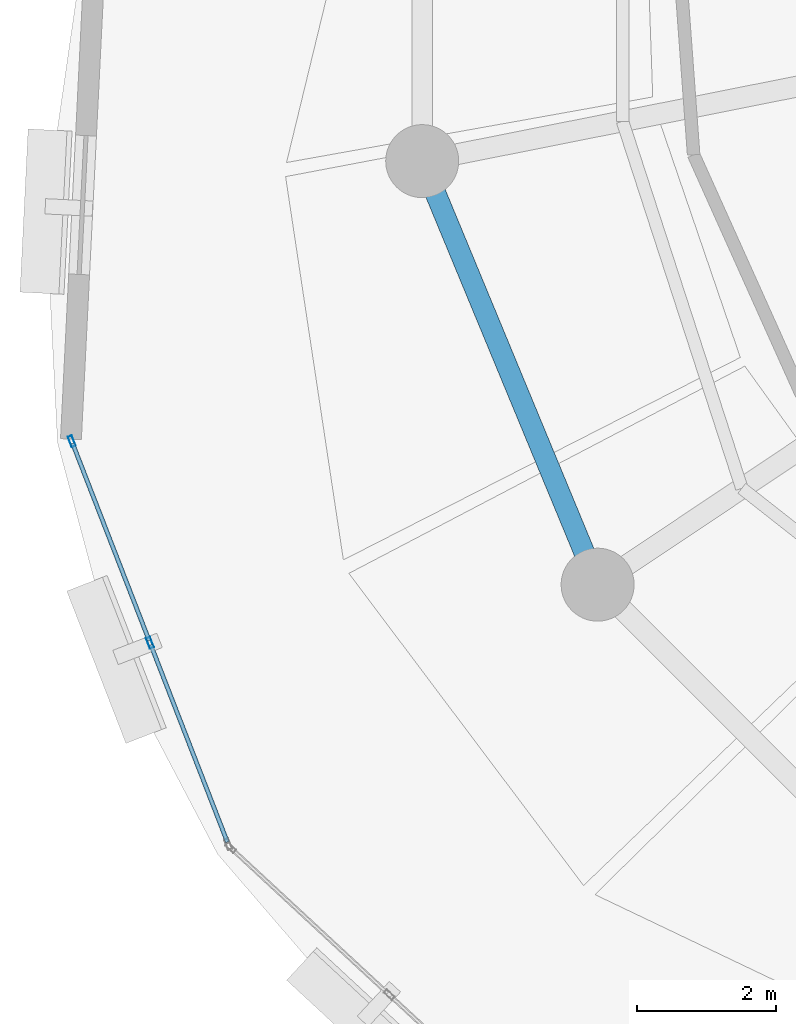
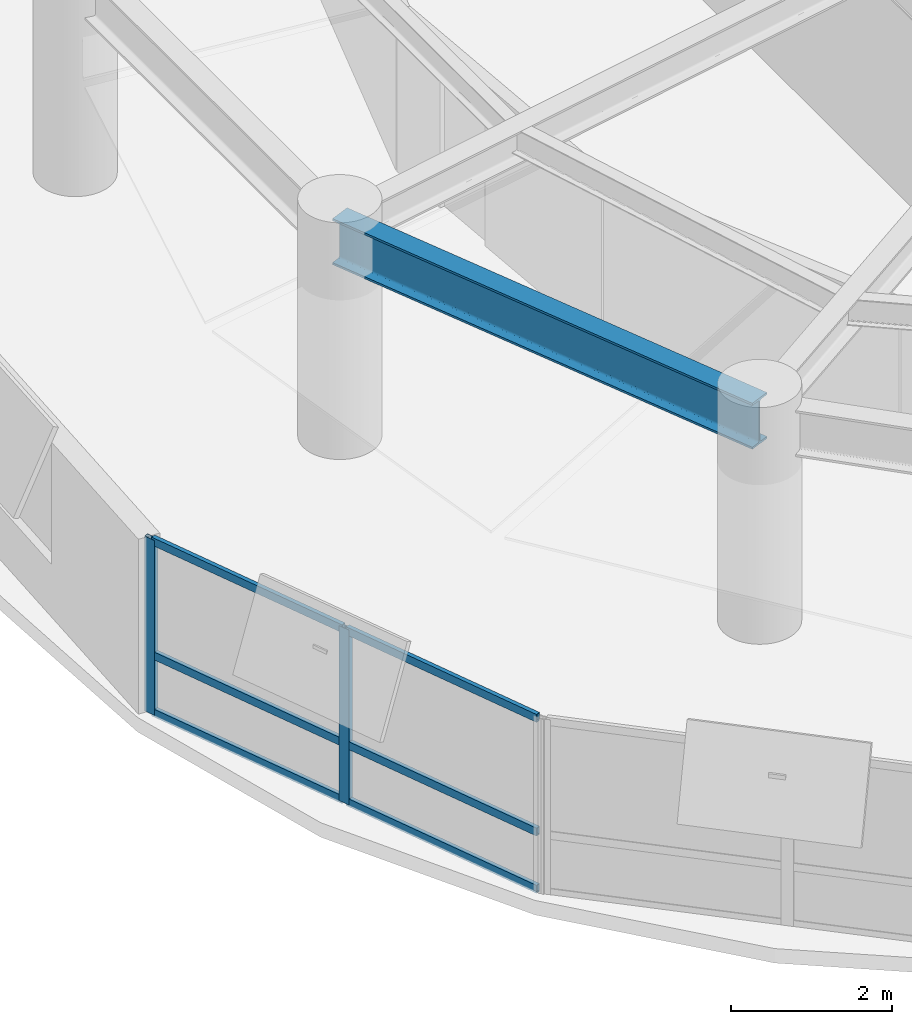
# One storey, part 4 of 12: 8 members, 1 beam, 1 element without a shape of its own.
"""IFC4 building model written with IfcOpenShell, lengths in metres."""

import ifcopenshell
import ifcopenshell.guid

model = None  # the IFC model being written
_history = None  # IfcOwnerHistory: only IFC2X3 demands one
_inside = {}  # id of a spatial element -> (the spatial element, [elements in it])
_under = {}  # id of a project, library or spatial element -> (it, [spatial elements below it])
_declared = {}  # id of a project -> (the project, [libraries it declares])
_typed = {}  # id of a type object -> (the type object, [elements of that type])
_made_of = {}  # id of a material, layer set ... -> (it, [elements and type objects made of it])


def new_model(schema):
    """Start an empty IFC model of exactly this schema.

    Asked for "IFC4X3", IfcOpenShell would pick the latest addendum, in which some entities
    have other attributes; the version numbers below select the first issue.
    IFC2X3 requires an IfcOwnerHistory on every rooted entity: one is made here for all.
    """
    global model, _history
    if schema == "IFC4X3":
        model = ifcopenshell.file(schema_version=(4, 3, 0, 0))
    else:
        model = ifcopenshell.file(schema=schema)
    _inside.clear()
    _under.clear()
    _declared.clear()
    _typed.clear()
    _made_of.clear()
    _history = None
    if model.schema == "IFC2X3":
        org = make("IfcOrganization", Name="unknown")
        user = make(
            "IfcPersonAndOrganization",
            ThePerson=make("IfcPerson", FamilyName="unknown"),
            TheOrganization=org,
        )
        app = make(
            "IfcApplication",
            ApplicationDeveloper=org,
            Version="unknown",
            ApplicationFullName="unknown",
            ApplicationIdentifier="unknown",
        )
        _history = make(
            "IfcOwnerHistory",
            OwningUser=user,
            OwningApplication=app,
            ChangeAction="ADDED",
            CreationDate=0,
        )
    return model


def make(cls, **values):
    """One entity of the class cls with the attributes given. An attribute that is None is left unset."""
    return model.create_entity(
        cls, **{name: value for name, value in values.items() if value is not None}
    )


def rooted(cls, **values):
    """An entity with a GlobalId (a new one), such as an element, a storey or a relation."""
    return make(cls, GlobalId=ifcopenshell.guid.new(), OwnerHistory=_history, **values)


def si_unit(unit_type, name, prefix=None):
    """IfcSIUnit, for example si_unit("LENGTHUNIT", "METRE", prefix="MILLI")."""
    return make("IfcSIUnit", UnitType=unit_type, Prefix=prefix, Name=name)


def assignment(units):
    """IfcUnitAssignment: the units of a project."""
    return None if units is None else make("IfcUnitAssignment", Units=units)


def point(xyz):
    """IfcCartesianPoint."""
    return None if xyz is None else make("IfcCartesianPoint", Coordinates=xyz)


def direction(xyz):
    """IfcDirection."""
    return None if xyz is None else make("IfcDirection", DirectionRatios=xyz)


def frame(location, z_axis=None, x_axis=None):
    """IfcAxis2Placement3D, a coordinate frame: its origin and axes. An axis left out is left unset."""
    return make(
        "IfcAxis2Placement3D",
        Location=point(location),
        Axis=direction(z_axis),
        RefDirection=direction(x_axis),
    )


def frame_2d(location, x_axis=None):
    """IfcAxis2Placement2D, a coordinate frame in the plane: its origin and x axis."""
    return make(
        "IfcAxis2Placement2D", Location=point(location), RefDirection=direction(x_axis)
    )


def origin():
    """The frame at (0, 0, 0) with its axes left unset."""
    return frame((0.0, 0.0, 0.0))


def origin_2d():
    """The frame at (0, 0) in the plane with its x axis left unset."""
    return frame_2d((0.0, 0.0))


def place(relative_to, where):
    """IfcLocalPlacement: puts the frame where relative to a parent placement (None: the world)."""
    return make(
        "IfcLocalPlacement", PlacementRelTo=relative_to, RelativePlacement=where
    )


def context(
    kind, dimensions, precision=None, world=None, true_north=None, identifier=None
):
    """IfcGeometricRepresentationContext, for example the 3D "Model" context."""
    return make(
        "IfcGeometricRepresentationContext",
        ContextIdentifier=identifier,
        ContextType=kind,
        CoordinateSpaceDimension=dimensions,
        Precision=precision,
        WorldCoordinateSystem=world,
        TrueNorth=true_north,
    )


def subcontext(parent, identifier, kind, view, scale=None):
    """IfcGeometricRepresentationSubContext, for example "Body" below "Model"."""
    return make(
        "IfcGeometricRepresentationSubContext",
        ContextIdentifier=identifier,
        ContextType=kind,
        ParentContext=parent,
        TargetScale=scale,
        TargetView=view,
    )


def project(units=None, contexts=None):
    """IfcProject with its units and contexts."""
    return rooted(
        "IfcProject",
        Name="project",
        RepresentationContexts=contexts,
        UnitsInContext=assignment(units),
    )


def spatial(cls, under=None, at=None, **own):
    """A site, building, storey or space (cls), placed at a placement, below another one or the project."""
    s = rooted(cls, ObjectPlacement=at, **own)
    if under is not None:
        _under.setdefault(under.id(), (under, []))[1].append(s)
    return s


def profile(cls, at=None, kind="AREA", **sizes):
    """A parametric profile (cls). Its sizes go by their IFC names, for example OverallWidth=200.0."""
    return make(cls, ProfileType=kind, Position=at, **sizes)


def hollow_rectangle(**sizes):
    """IfcRectangleHollowProfileDef."""
    return profile("IfcRectangleHollowProfileDef", **sizes)


def i_section(**sizes):
    """IfcIShapeProfileDef."""
    return profile("IfcIShapeProfileDef", **sizes)


def extrude(swept, where, along, depth):
    """IfcExtrudedAreaSolid: the profile swept, set in the frame where, extruded along a direction by depth."""
    return make(
        "IfcExtrudedAreaSolid",
        SweptArea=swept,
        Position=where,
        ExtrudedDirection=direction(along),
        Depth=depth,
    )


def shape(context_of_items, identifier, shape_type, items):
    """IfcShapeRepresentation: the items that make up one representation, for example the "Body"."""
    return make(
        "IfcShapeRepresentation",
        ContextOfItems=context_of_items,
        RepresentationIdentifier=identifier,
        RepresentationType=shape_type,
        Items=items,
    )


def material(Name=None, Category=None):
    """IfcMaterial."""
    return make("IfcMaterial", Name=Name, Category=Category)


def layer(
    of_material, thickness, ventilated=None, Name=None, Category=None, Priority=None
):
    """IfcMaterialLayer: one layer of a wall or slab, of a material (None: an air gap)."""
    return make(
        "IfcMaterialLayer",
        Material=of_material,
        LayerThickness=thickness,
        IsVentilated=ventilated,
        Name=Name,
        Category=Category,
        Priority=Priority,
    )


def layer_set(layers, Name=None):
    """IfcMaterialLayerSet."""
    return make("IfcMaterialLayerSet", MaterialLayers=layers, LayerSetName=Name)


def material_profile(
    of_material, cross_section, Name=None, Category=None, Priority=None
):
    """IfcMaterialProfile: a cross section and its material."""
    return make(
        "IfcMaterialProfile",
        Name=Name,
        Material=of_material,
        Profile=cross_section,
        Priority=Priority,
        Category=Category,
    )


def profile_set(profiles, Name=None, composite=None):
    """IfcMaterialProfileSet."""
    return make(
        "IfcMaterialProfileSet",
        Name=Name,
        MaterialProfiles=profiles,
        CompositeProfile=composite,
    )


def made_of(thing, what):
    """Note that an element or type object is made of a material, layer set ...; save() writes the relation."""
    if what is not None:
        _made_of.setdefault(what.id(), (what, []))[1].append(thing)
    return thing


def type_object(cls, material=None, **own):
    """A type object (cls), such as IfcWallType, which elements share."""
    return made_of(rooted(cls, **own), material)


def element(
    cls,
    number,
    at=None,
    inside=None,
    cuts=None,
    type_object=None,
    material=None,
    context=None,
    identifier="Body",
    shape_type=None,
    held_by="IfcProductDefinitionShape",
    body=None,
    shapes=None,
    **own,
):
    """One element of the class cls, such as IfcWall. Its Tag is "e" and its number.

    at: its placement. inside: the storey or other place that contains it. cuts: it is an
    opening in that element (IfcRelVoidsElement). A single representation is given by context,
    identifier, shape_type and body (its items); several are given by shapes. held_by: the class
    of the entity that holds the representations. save() writes the other relations.
    """
    e = rooted(cls, Tag="e%d" % number, ObjectPlacement=at, **own)
    if body is not None:
        shapes = [shape(context, identifier, shape_type, body)]
    if shapes is not None:
        e.Representation = make(held_by, Representations=shapes)
    if inside is not None:
        _inside.setdefault(inside.id(), (inside, []))[1].append(e)
    if cuts is not None:
        rooted(
            "IfcRelVoidsElement", RelatingBuildingElement=cuts, RelatedOpeningElement=e
        )
    if type_object is not None:
        _typed.setdefault(type_object.id(), (type_object, []))[1].append(e)
    return made_of(e, material)


def aggregate(whole, parts):
    """IfcRelAggregates: a whole, such as a stair, and the parts it consists of."""
    return rooted("IfcRelAggregates", RelatingObject=whole, RelatedObjects=parts)


def save(model, path):
    """Write the relations noted so far, then the file.

    IfcRelAggregates (storeys below a building ...), IfcRelContainedInSpatialStructure (elements
    in a storey), IfcRelDefinesByType, IfcRelAssociatesMaterial and IfcRelDeclares: one each for
    every whole, place, type object, material and project.
    """
    for whole, parts in _under.values():
        aggregate(whole, parts)
    for where, things in _inside.values():
        rooted(
            "IfcRelContainedInSpatialStructure",
            RelatedElements=things,
            RelatingStructure=where,
        )
    for kind, things in _typed.values():
        rooted("IfcRelDefinesByType", RelatedObjects=things, RelatingType=kind)
    for what, things in _made_of.values():
        rooted("IfcRelAssociatesMaterial", RelatedObjects=things, RelatingMaterial=what)
    for by, libraries in _declared.values():
        rooted("IfcRelDeclares", RelatingContext=by, RelatedDefinitions=libraries)
    model.write(path)


model = new_model("IFC4")

# Units and contexts
model_context = context("Model", 3, precision=1e-05, world=origin(), true_north=direction((0.0, 1.0)))
body_context = subcontext(model_context, "Body", "Model", "MODEL_VIEW")
ifc_project = project(units=[si_unit("LENGTHUNIT", "METRE"), si_unit("AREAUNIT", "SQUARE_METRE"), si_unit("VOLUMEUNIT", "CUBIC_METRE"), si_unit("PLANEANGLEUNIT", "RADIAN"), si_unit("MASSUNIT", "GRAM", prefix="KILO"), si_unit("THERMODYNAMICTEMPERATUREUNIT", "KELVIN"), si_unit("POWERUNIT", "WATT")], contexts=[model_context])

# Site, building, storey
site_placement = place(None, origin())
site = spatial("IfcSite", under=ifc_project, at=site_placement, CompositionType="ELEMENT")
building_placement = place(site_placement, origin())
building = spatial("IfcBuilding", under=site, at=building_placement, Name="Ocrelia Relay Tower", CompositionType="ELEMENT")
storey_placement = place(building_placement, frame((0.0, 0.0, 177.199951171875)))
storey = spatial("IfcBuildingStorey", under=building, at=storey_placement, Name="L42", CompositionType="ELEMENT", Elevation=177.199951171875)

# Beam
ifc_material_1 = material(Name="Steel S355", Category="steel")
ifc_material_profile_1 = material_profile(ifc_material_1, i_section(OverallWidth=0.300048828125, OverallDepth=0.699951171875, WebThickness=0.01708984375, FlangeThickness=0.031982421875, FilletRadius=0.027099609375, at=origin_2d()), Name="HEB 700")
ifc_profile_set_1 = profile_set([ifc_material_profile_1], Name="Steel S355")
beam_type = type_object("IfcBeamType", Name="BM-HEB700", PredefinedType="BEAM", material=ifc_profile_set_1)
beam_placement = place(storey_placement, frame((17.4248046875, 22.702880859375, 3.030029296875), z_axis=(0.382687508402, -0.923877844151, 0.0), x_axis=(0.923877844151, 0.382687508402, 0.0)))
element("IfcBeam", 1, at=beam_placement, inside=storey, type_object=beam_type, Name="L42 Perimeter Spandrel Beam S09", PredefinedType="BEAM", context=body_context, shape_type="SweptSolid", body=[
    extrude(i_section(OverallWidth=0.300048828125, OverallDepth=0.699951171875, WebThickness=0.01708984375, FlangeThickness=0.031982421875, FilletRadius=0.027099609375, at=origin_2d()), origin(), (0.0, 0.0, 1.0), 6.593994140625),
])

# Curtain wall, members
ifc_material_2 = material(Name="Aluminium and solar-control low-E glass", Category="aluminium")
ifc_layer = layer(ifc_material_2, 0.179931640625, Name="Aluminium and solar-control low-E glass")
ifc_layer_set = layer_set([ifc_layer], Name="Aluminium and solar-control low-E glass")
curtain_wall_type = type_object("IfcCurtainWallType", Name="CW-SYS-Z3-CLOU", PredefinedType="NOTDEFINED", material=ifc_layer_set)
curtain_wall_placement = place(storey_placement, origin())
curtain_wall = element("IfcCurtainWall", 2, at=curtain_wall_placement, inside=storey, type_object=curtain_wall_type, Name="L42 Elliptical Tower Curtain Wall Bay 09", PredefinedType="NOTDEFINED")
ifc_material_3 = material(Name="Anodised bronze aluminium", Category="aluminium")
ifc_material_profile_2 = material_profile(ifc_material_3, hollow_rectangle(XDim=0.06494140625, YDim=0.159912109375, WallThickness=0.0048828125, at=origin_2d()), Name="CW-MUL-160x65")
ifc_profile_set_2 = profile_set([ifc_material_profile_2], Name="Anodised bronze aluminium")
member_type_1 = type_object("IfcMemberType", Name="CW-SYS-Z3-CLOU-MUL", PredefinedType="MULLION", material=ifc_profile_set_2)
member_1_placement = place(storey_placement, frame((12.384033203125, 18.673583984375, 0.0), z_axis=(0.0, 0.0, 1.0), x_axis=(0.932200483854, 0.361942340578, 0.0)))
member_1 = element("IfcMember", 3, at=member_1_placement, type_object=member_type_1, Name="CW-Z3 mullion 1", PredefinedType="MULLION", context=body_context, shape_type="SweptSolid", body=[
    extrude(hollow_rectangle(XDim=0.06494140625, YDim=0.159912109375, WallThickness=0.0048828125, at=origin_2d()), origin(), (0.0, 0.0, 1.0), 2.66015625),
])
member_2_placement = place(storey_placement, frame((13.50927734375, 15.775634765625, 0.0), z_axis=(0.0, 0.0, 1.0), x_axis=(0.932200483854, 0.361942340578, 0.0)))
member_2 = element("IfcMember", 4, at=member_2_placement, type_object=member_type_1, Name="CW-Z3 mullion 2", PredefinedType="MULLION", context=body_context, shape_type="SweptSolid", body=[
    extrude(hollow_rectangle(XDim=0.06494140625, YDim=0.159912109375, WallThickness=0.0048828125, at=origin_2d()), origin(), (0.0, 0.0, 1.0), 2.66015625),
])
ifc_material_profile_3 = material_profile(ifc_material_3, hollow_rectangle(XDim=0.06005859375, YDim=0.1201171875, WallThickness=0.0048828125, at=origin_2d()), Name="CW-TRN-120x60")
ifc_profile_set_3 = profile_set([ifc_material_profile_3], Name="Anodised bronze aluminium")
member_type_2 = type_object("IfcMemberType", Name="CW-SYS-Z3-CLOU-TRN", PredefinedType="USERDEFINED", material=ifc_profile_set_3)
member_3_placement = place(storey_placement, frame((12.395751953125, 18.643310546875, 0.030029296875), z_axis=(0.361981736972, -0.932185186591, 0.0), x_axis=(0.932185186591, 0.361981736972, 0.0)))
member_3 = element("IfcMember", 5, at=member_3_placement, type_object=member_type_2, Name="CW-Z3 transom 1.1", ObjectType="TRANSOM", PredefinedType="USERDEFINED", context=body_context, shape_type="SweptSolid", body=[
    extrude(hollow_rectangle(XDim=0.06005859375, YDim=0.1201171875, WallThickness=0.0048828125, at=origin_2d()), origin(), (0.0, 0.0, 1.0), 3.043701171875),
])
member_4_placement = place(storey_placement, frame((12.395751953125, 18.643310546875, 0.900146484375), z_axis=(0.361981736972, -0.932185186591, 0.0), x_axis=(0.932185186591, 0.361981736972, 0.0)))
member_4 = element("IfcMember", 6, at=member_4_placement, type_object=member_type_2, Name="CW-Z3 transom 1.2", ObjectType="TRANSOM", PredefinedType="USERDEFINED", context=body_context, shape_type="SweptSolid", body=[
    extrude(hollow_rectangle(XDim=0.06005859375, YDim=0.1201171875, WallThickness=0.0048828125, at=origin_2d()), origin(), (0.0, 0.0, 1.0), 3.043701171875),
])
member_5_placement = place(storey_placement, frame((12.395751953125, 18.643310546875, 2.630126953125), z_axis=(0.361981736972, -0.932185186591, 0.0), x_axis=(0.932185186591, 0.361981736972, 0.0)))
member_5 = element("IfcMember", 7, at=member_5_placement, type_object=member_type_2, Name="CW-Z3 transom 1.3", ObjectType="TRANSOM", PredefinedType="USERDEFINED", context=body_context, shape_type="SweptSolid", body=[
    extrude(hollow_rectangle(XDim=0.06005859375, YDim=0.1201171875, WallThickness=0.0048828125, at=origin_2d()), origin(), (0.0, 0.0, 1.0), 3.043701171875),
])
member_6_placement = place(storey_placement, frame((13.52099609375, 15.745361328125, 0.030029296875), z_axis=(0.361954673708, -0.932195695217, 0.0), x_axis=(0.932195695217, 0.361954673708, 0.0)))
member_6 = element("IfcMember", 8, at=member_6_placement, type_object=member_type_2, Name="CW-Z3 transom 2.1", ObjectType="TRANSOM", PredefinedType="USERDEFINED", context=body_context, shape_type="SweptSolid", body=[
    extrude(hollow_rectangle(XDim=0.06005859375, YDim=0.1201171875, WallThickness=0.0048828125, at=origin_2d()), origin(), (0.0, 0.0, 1.0), 3.0439453125),
])
member_7_placement = place(storey_placement, frame((13.52099609375, 15.745361328125, 0.900146484375), z_axis=(0.361954673708, -0.932195695217, 0.0), x_axis=(0.932195695217, 0.361954673708, 0.0)))
member_7 = element("IfcMember", 9, at=member_7_placement, type_object=member_type_2, Name="CW-Z3 transom 2.2", ObjectType="TRANSOM", PredefinedType="USERDEFINED", context=body_context, shape_type="SweptSolid", body=[
    extrude(hollow_rectangle(XDim=0.06005859375, YDim=0.1201171875, WallThickness=0.0048828125, at=origin_2d()), origin(), (0.0, 0.0, 1.0), 3.0439453125),
])
member_8_placement = place(storey_placement, frame((13.52099609375, 15.745361328125, 2.630126953125), z_axis=(0.361954673708, -0.932195695217, 0.0), x_axis=(0.932195695217, 0.361954673708, 0.0)))
member_8 = element("IfcMember", 10, at=member_8_placement, type_object=member_type_2, Name="CW-Z3 transom 2.3", ObjectType="TRANSOM", PredefinedType="USERDEFINED", context=body_context, shape_type="SweptSolid", body=[
    extrude(hollow_rectangle(XDim=0.06005859375, YDim=0.1201171875, WallThickness=0.0048828125, at=origin_2d()), origin(), (0.0, 0.0, 1.0), 3.0439453125),
])
aggregate(curtain_wall, [member_1, member_2, member_3, member_4, member_5, member_6, member_7, member_8])

save(model, "model.ifc")
